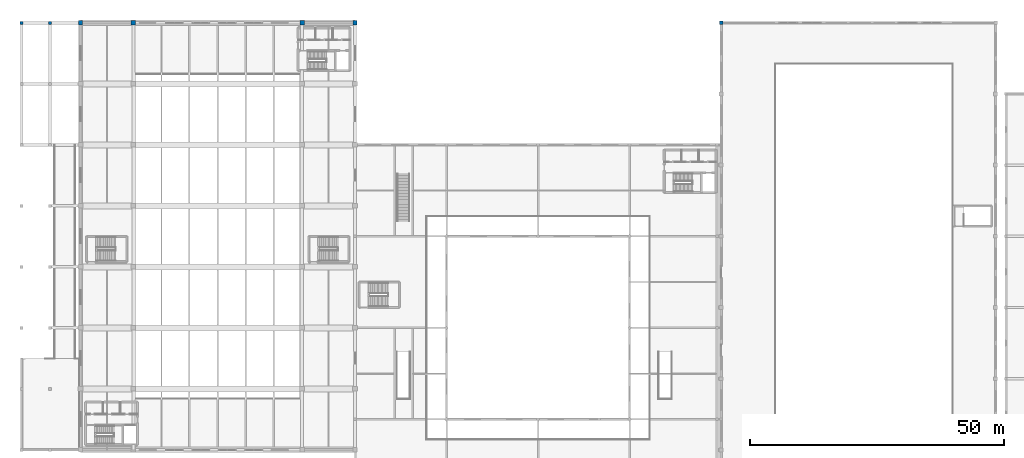
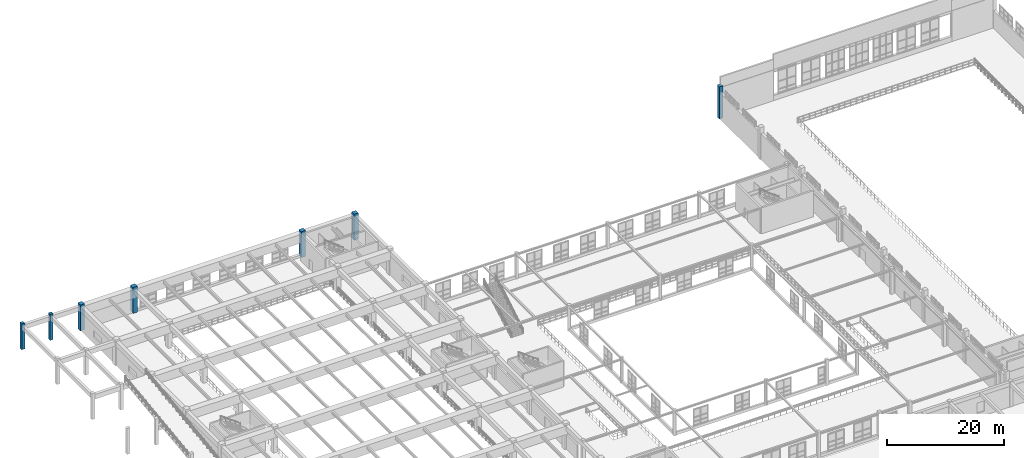
# One storey, part 6 of 197: 7 columns.
"""IFC4 building model written with IfcOpenShell, lengths in metres."""

from ifc_helpers import new_model, si_unit, derived_unit, direction, frame, origin, origin_2d, place, context, subcontext, project, spatial, rectangle, extrude, material, material_profile, profile_set, type_object, element, save


model = new_model("IFC4")

# Units and contexts
model_context = context("Model", 3, precision=1e-05, world=origin(), true_north=direction((0.0, 1.0)))
body_context = subcontext(model_context, "Body", "Model", "MODEL_VIEW")
ifc_project = project(units=[si_unit("LENGTHUNIT", "METRE"), si_unit("AREAUNIT", "SQUARE_METRE"), si_unit("VOLUMEUNIT", "CUBIC_METRE"), si_unit("PLANEANGLEUNIT", "RADIAN"), si_unit("MASSUNIT", "GRAM", prefix="KILO"), derived_unit("THERMALTRANSMITTANCEUNIT", [(si_unit("POWERUNIT", "WATT"), 1), (si_unit("LENGTHUNIT", "METRE"), -2), (si_unit("THERMODYNAMICTEMPERATUREUNIT", "KELVIN"), -1)])], contexts=[model_context])

# Site, building, storey
site_placement = place(None, origin())
site = spatial("IfcSite", under=ifc_project, at=site_placement, CompositionType="ELEMENT")
building_placement = place(site_placement, origin())
building = spatial("IfcBuilding", under=site, at=building_placement, Name="Almenara Railside Exhibition Hall", CompositionType="ELEMENT")
storey_placement = place(building_placement, frame((0.0, 0.0, 5.39990234375)))
storey = spatial("IfcBuildingStorey", under=building, at=storey_placement, Name="L01", CompositionType="ELEMENT", Elevation=5.39990234375)

# Columns
ifc_material_1 = material(Name="Concrete C35/45", Category="concrete")
ifc_material_profile_1 = material_profile(ifc_material_1, rectangle(XDim=0.60009765625, YDim=0.60009765625, at=origin_2d()), Name="RC 600x600")
ifc_profile_set_1 = profile_set([ifc_material_profile_1], Name="Concrete C35/45")
column_type_1 = type_object("IfcColumnType", Name="RC Column 600x600 C35/45", PredefinedType="COLUMN", material=ifc_profile_set_1)
for number, where, z_axis, x_axis, name in (
    (1, (0.39990234375, 132.0, 0.0), (0.0, 0.0, 1.0), (1.0, 0.0, 0.0), "Column 0280"),
    (2, (6.0, 132.0, 0.0), (0.0, 0.0, 1.0), (1.0, 0.0, 0.0), "Column 0283"),
):
    element("IfcColumn", number, at=place(storey_placement, frame(where, z_axis=z_axis, x_axis=x_axis)), inside=storey, type_object=column_type_1, Name=name, PredefinedType="COLUMN", context=body_context, shape_type="SweptSolid", body=[
        extrude(rectangle(XDim=0.60009765625, YDim=0.60009765625, at=origin_2d()), origin(), (0.0, 0.0, 1.0), 5.400146484375),
    ])
ifc_material_2 = material(Name="Concrete C40/50", Category="concrete")
ifc_material_profile_2 = material_profile(ifc_material_2, rectangle(XDim=0.699951171875, YDim=0.699951171875, at=origin_2d()), Name="RC 700x700")
ifc_profile_set_2 = profile_set([ifc_material_profile_2], Name="Concrete C40/50")
column_type_2 = type_object("IfcColumnType", Name="RC Column 700x700 C40/50", PredefinedType="COLUMN", material=ifc_profile_set_2)
column_placement = place(storey_placement, frame((138.0, 132.0, 0.0), z_axis=(0.0, 0.0, 1.0), x_axis=(1.0, 0.0, 0.0)))
element("IfcColumn", 3, at=column_placement, inside=storey, type_object=column_type_2, Name="Column 0130", PredefinedType="COLUMN", context=body_context, shape_type="SweptSolid", body=[
    extrude(rectangle(XDim=0.699951171875, YDim=0.699951171875, at=origin_2d()), origin(), (0.0, 0.0, 1.0), 6.7001953125),
])
ifc_material_profile_3 = material_profile(ifc_material_2, rectangle(XDim=0.85009765625, YDim=0.85009765625, at=origin_2d()), Name="RC 850x850")
ifc_profile_set_3 = profile_set([ifc_material_profile_3], Name="Concrete C40/50")
column_type_3 = type_object("IfcColumnType", Name="RC Column 850x850 C40/50", PredefinedType="COLUMN", material=ifc_profile_set_3)
for number, where, z_axis, x_axis, name in (
    (4, (12.0, 132.0, 0.0), (0.0, 0.0, 1.0), (1.0, 0.0, 0.0), "Column 0074"),
    (5, (66.0, 132.0, 0.0), (0.0, 0.0, 1.0), (1.0, 0.0, 0.0), "Column 0077"),
    (6, (22.39990234375, 132.0, 0.0), (0.0, 0.0, 1.0), (1.0, 0.0, 0.0), "Column 0080"),
    (7, (55.60009765625, 132.0, 0.0), (0.0, 0.0, 1.0), (1.0, 0.0, 0.0), "Column 0083"),
):
    element("IfcColumn", number, at=place(storey_placement, frame(where, z_axis=z_axis, x_axis=x_axis)), inside=storey, type_object=column_type_3, Name=name, PredefinedType="COLUMN", context=body_context, shape_type="SweptSolid", body=[
        extrude(rectangle(XDim=0.85009765625, YDim=0.85009765625, at=origin_2d()), origin(), (0.0, 0.0, 1.0), 5.400146484375),
    ])

save(model, "model.ifc")
